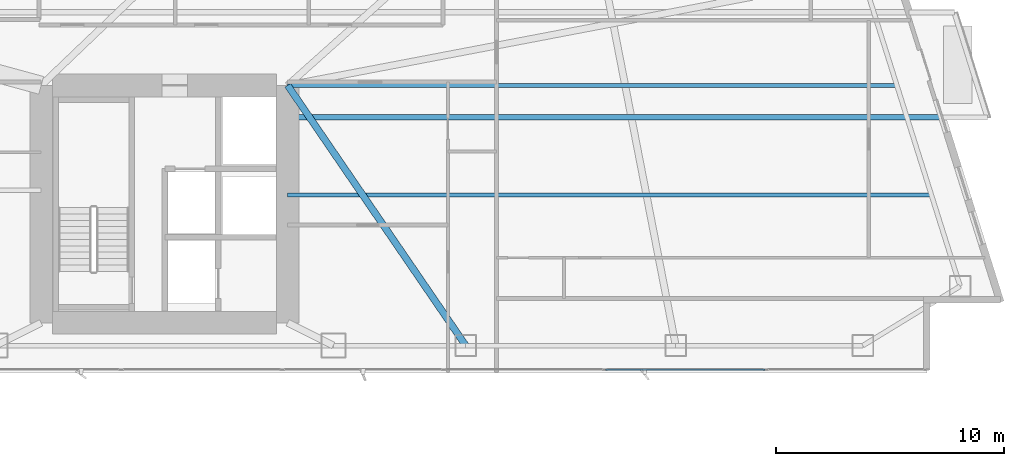
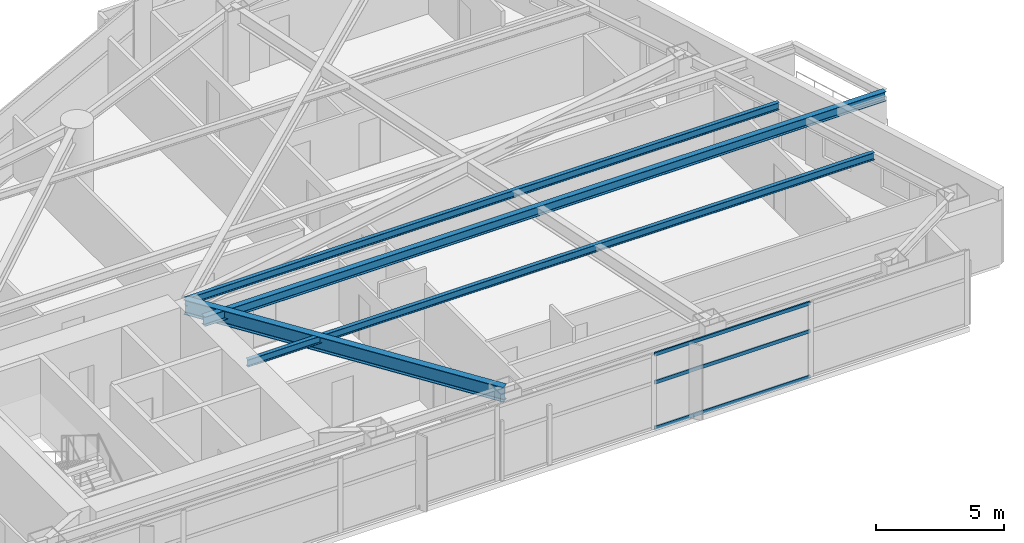
# One storey, part 13 of 29: 4 beams, 3 members, 1 element without a shape of its own.
"""IFC4 building model written with IfcOpenShell, lengths in metres."""

from ifc_helpers import new_model, si_unit, direction, frame, origin, origin_2d, place, context, subcontext, project, spatial, hollow_rectangle, i_section, extrude, material, layer, layer_set, material_profile, profile_set, type_object, element, aggregate, save


model = new_model("IFC4")

# Units and contexts
model_context = context("Model", 3, precision=1e-05, world=origin(), true_north=direction((0.0, 1.0)))
body_context = subcontext(model_context, "Body", "Model", "MODEL_VIEW")
ifc_project = project(units=[si_unit("LENGTHUNIT", "METRE"), si_unit("AREAUNIT", "SQUARE_METRE"), si_unit("VOLUMEUNIT", "CUBIC_METRE"), si_unit("PLANEANGLEUNIT", "RADIAN"), si_unit("MASSUNIT", "GRAM", prefix="KILO")], contexts=[model_context])

# Site, building, storey
site_placement = place(None, origin())
site = spatial("IfcSite", under=ifc_project, at=site_placement, CompositionType="ELEMENT")
building_placement = place(site_placement, origin())
building = spatial("IfcBuilding", under=site, at=building_placement, Name="Calvorn Quay Hotel", CompositionType="ELEMENT")
storey_placement = place(building_placement, frame((0.0, 0.0, 58.39990234375)))
storey = spatial("IfcBuildingStorey", under=building, at=storey_placement, Name="L13", CompositionType="ELEMENT", Elevation=58.39990234375)

# Beams
ifc_material_1 = material(Name="Steel Q355B", Category="steel")
ifc_material_profile_1 = material_profile(ifc_material_1, i_section(OverallWidth=0.25, OverallDepth=0.449951171875, WebThickness=0.011962890625, FlangeThickness=0.01611328125, FilletRadius=0.01611328125, at=origin_2d()), Name="HN450x250x12x16")
ifc_profile_set_1 = profile_set([ifc_material_profile_1], Name="Steel Q355B")
beam_type_1 = type_object("IfcBeamType", Name="BM-CANT-BALC", PredefinedType="BEAM", material=ifc_profile_set_1)
beam_1_placement = place(storey_placement, frame((32.39990234375, 13.60009765625, 3.315185546875), z_axis=(1.0, 0.0, 0.0), x_axis=(0.0, 1.0, 0.0)))
element("IfcBeam", 1, at=beam_1_placement, inside=storey, type_object=beam_type_1, Name="Cantilever Balcony Beam BCB-L14-1A", PredefinedType="BEAM", context=body_context, shape_type="SweptSolid", body=[
    extrude(i_section(OverallWidth=0.25, OverallDepth=0.449951171875, WebThickness=0.011962890625, FlangeThickness=0.01611328125, FilletRadius=0.01611328125, at=origin_2d()), origin(), (0.0, 0.0, 1.0), 30.669189453125),
])
ifc_material_2 = material(Name="Steel Q390GJC", Category="steel")
ifc_material_profile_2 = material_profile(ifc_material_2, i_section(OverallWidth=0.300048828125, OverallDepth=0.699951171875, WebThickness=0.012939453125, FlangeThickness=0.02392578125, FilletRadius=0.02392578125, at=origin_2d()), Name="HN700x300x13x24")
ifc_profile_set_2 = profile_set([ifc_material_profile_2], Name="Steel Q390GJC")
beam_type_2 = type_object("IfcBeamType", Name="BM-GIRD-MAIN", PredefinedType="BEAM", material=ifc_profile_set_2)
beam_2_placement = place(storey_placement, frame((40.199951171875, 3.60009765625, 3.190185546875), z_axis=(-0.564689618177, 0.825303359452, 0.0), x_axis=(-0.825303359452, -0.564689618177, 0.0)))
element("IfcBeam", 2, at=beam_2_placement, inside=storey, type_object=beam_type_2, Name="Beam BG-L13-E6", PredefinedType="BEAM", context=body_context, shape_type="SweptSolid", body=[
    extrude(i_section(OverallWidth=0.300048828125, OverallDepth=0.699951171875, WebThickness=0.012939453125, FlangeThickness=0.02392578125, FilletRadius=0.02392578125, at=origin_2d()), origin(), (0.0, 0.0, 1.0), 13.81298828125),
])
ifc_material_3 = material(Name="Steel Q355B", Category="steel")
ifc_material_profile_3 = material_profile(ifc_material_3, i_section(OverallWidth=0.175048828125, OverallDepth=0.35009765625, WebThickness=0.007080078125, FlangeThickness=0.010986328125, FilletRadius=0.013916015625, at=origin_2d()), Name="HN350x175x7x11")
ifc_profile_set_3 = profile_set([ifc_material_profile_3], Name="Steel Q355B")
beam_type_3 = type_object("IfcBeamType", Name="BM-JOIST-SEC", PredefinedType="JOIST", material=ifc_profile_set_3)
beam_3_placement = place(storey_placement, frame((32.39990234375, 10.199951171875, 3.364990234375), z_axis=(1.0, 0.0, 0.0), x_axis=(0.0, 1.0, 0.0)))
element("IfcBeam", 3, at=beam_3_placement, inside=storey, type_object=beam_type_3, Name="Beam BJ-L13-E1", PredefinedType="JOIST", context=body_context, shape_type="SweptSolid", body=[
    extrude(i_section(OverallWidth=0.175048828125, OverallDepth=0.35009765625, WebThickness=0.007080078125, FlangeThickness=0.010986328125, FilletRadius=0.013916015625, at=origin_2d()), origin(), (0.0, 0.0, 1.0), 28.201171875),
])
beam_4_placement = place(storey_placement, frame((32.39990234375, 15.0, 3.364990234375), z_axis=(1.0, 0.0, 0.0), x_axis=(0.0, 1.0, 0.0)))
element("IfcBeam", 4, at=beam_4_placement, inside=storey, type_object=beam_type_3, Name="Beam BJ-L13-E2", PredefinedType="JOIST", context=body_context, shape_type="SweptSolid", body=[
    extrude(i_section(OverallWidth=0.175048828125, OverallDepth=0.35009765625, WebThickness=0.007080078125, FlangeThickness=0.010986328125, FilletRadius=0.013916015625, at=origin_2d()), origin(), (0.0, 0.0, 1.0), 26.68798828125),
])

# Curtain wall, members
ifc_material_4 = material(Name="Pale Anodised Aluminium and Low-E Glass", Category="aluminium")
ifc_layer = layer(ifc_material_4, 0.219970703125)
ifc_layer_set = layer_set([ifc_layer], Name="CW-SYS-Z1")
curtain_wall_type = type_object("IfcCurtainWallType", Name="CW-SYS-Z1", PredefinedType="NOTDEFINED", material=ifc_layer_set)
curtain_wall_placement = place(storey_placement, origin())
curtain_wall = element("IfcCurtainWall", 5, at=curtain_wall_placement, inside=storey, type_object=curtain_wall_type, Name="Tower South Waterfront Curtain Wall (L13)", PredefinedType="NOTDEFINED")
ifc_material_5 = material(Name="Pale Anodised Aluminium 6063-T6", Category="aluminium")
ifc_material_profile_4 = material_profile(ifc_material_5, hollow_rectangle(XDim=0.06494140625, YDim=0.1650390625, WallThickness=0.00341796875, at=origin_2d()), Name="ALU-T165x65x3.5")
ifc_profile_set_4 = profile_set([ifc_material_profile_4], Name="Pale Anodised Aluminium 6063-T6")
member_type = type_object("IfcMemberType", Name="CW-SYS-Z1-TRN", PredefinedType="USERDEFINED", material=ifc_profile_set_4)
member_1_placement = place(storey_placement, frame((46.315673828125, 2.550048828125, 0.030029296875), z_axis=(1.0, 0.0, 0.0), x_axis=(0.0, 1.0, 0.0)))
member_1 = element("IfcMember", 6, at=member_1_placement, type_object=member_type, Name="CW-L13-S transom 6.1", ObjectType="TRANSOM", PredefinedType="USERDEFINED", context=body_context, shape_type="SweptSolid", body=[
    extrude(hollow_rectangle(XDim=0.06494140625, YDim=0.1650390625, WallThickness=0.00341796875, at=origin_2d()), origin(), (0.0, 0.0, 1.0), 6.9970703125),
])
member_2_placement = place(storey_placement, frame((46.315673828125, 2.550048828125, 2.2001953125), z_axis=(1.0, 0.0, 0.0), x_axis=(0.0, 1.0, 0.0)))
member_2 = element("IfcMember", 7, at=member_2_placement, type_object=member_type, Name="CW-L13-S transom 6.2", ObjectType="TRANSOM", PredefinedType="USERDEFINED", context=body_context, shape_type="SweptSolid", body=[
    extrude(hollow_rectangle(XDim=0.06494140625, YDim=0.1650390625, WallThickness=0.00341796875, at=origin_2d()), origin(), (0.0, 0.0, 1.0), 6.9970703125),
])
member_3_placement = place(storey_placement, frame((46.315673828125, 2.550048828125, 3.530029296875), z_axis=(1.0, 0.0, 0.0), x_axis=(0.0, 1.0, 0.0)))
member_3 = element("IfcMember", 8, at=member_3_placement, type_object=member_type, Name="CW-L13-S transom 6.3", ObjectType="TRANSOM", PredefinedType="USERDEFINED", context=body_context, shape_type="SweptSolid", body=[
    extrude(hollow_rectangle(XDim=0.06494140625, YDim=0.1650390625, WallThickness=0.00341796875, at=origin_2d()), origin(), (0.0, 0.0, 1.0), 6.9970703125),
])
aggregate(curtain_wall, [member_1, member_2, member_3])

save(model, "model.ifc")
